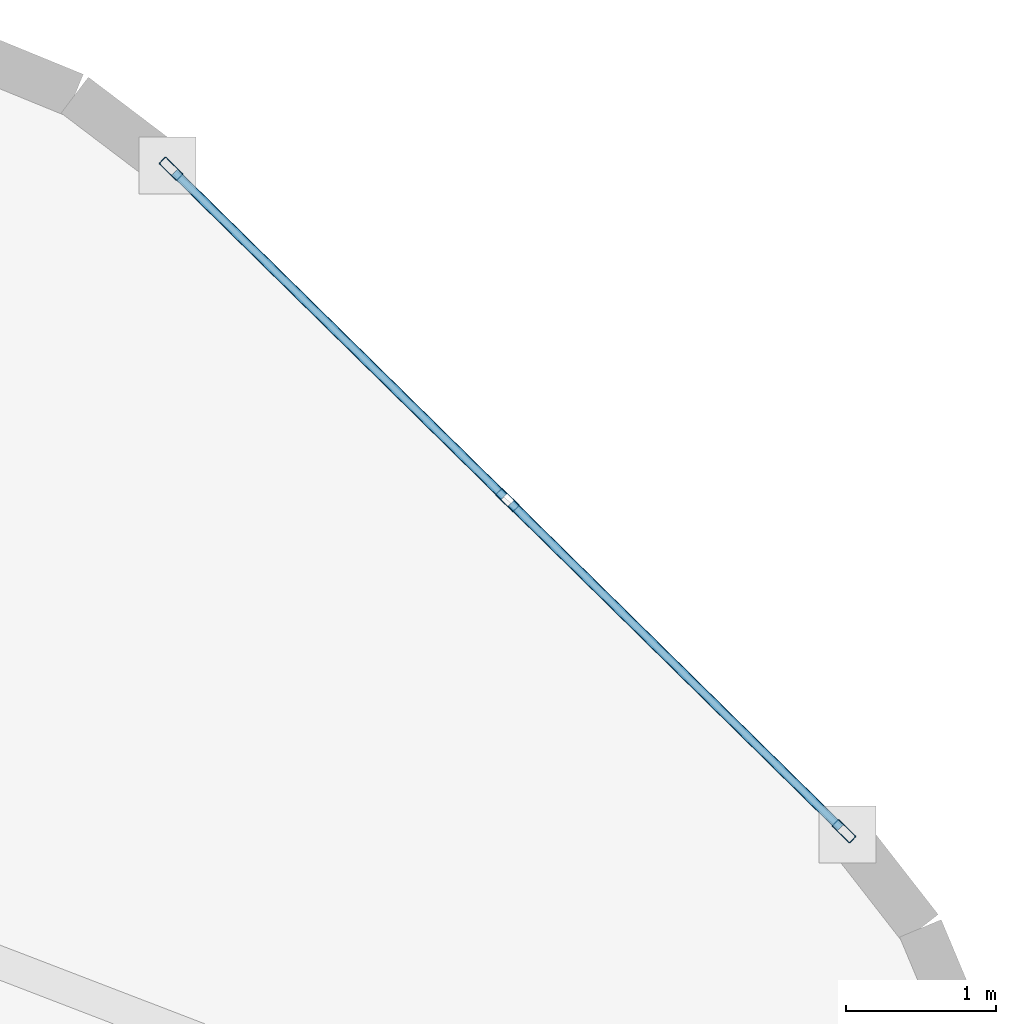
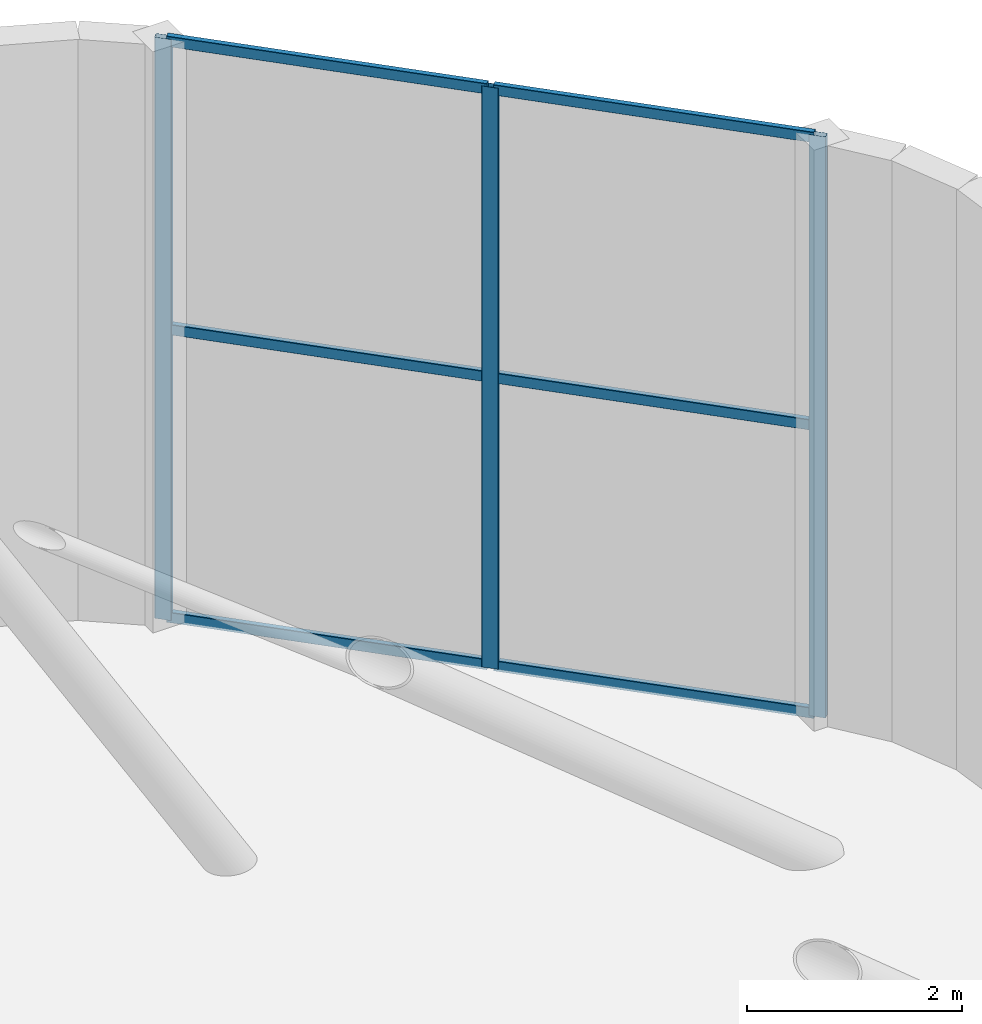
# One storey, part 16 of 19: 9 members, 1 element without a shape of its own.
"""IFC4 building model written with IfcOpenShell, lengths in metres."""

import ifcopenshell
import ifcopenshell.guid

model = None  # the IFC model being written
_history = None  # IfcOwnerHistory: only IFC2X3 demands one
_inside = {}  # id of a spatial element -> (the spatial element, [elements in it])
_under = {}  # id of a project, library or spatial element -> (it, [spatial elements below it])
_declared = {}  # id of a project -> (the project, [libraries it declares])
_typed = {}  # id of a type object -> (the type object, [elements of that type])
_made_of = {}  # id of a material, layer set ... -> (it, [elements and type objects made of it])


def new_model(schema):
    """Start an empty IFC model of exactly this schema.

    Asked for "IFC4X3", IfcOpenShell would pick the latest addendum, in which some entities
    have other attributes; the version numbers below select the first issue.
    IFC2X3 requires an IfcOwnerHistory on every rooted entity: one is made here for all.
    """
    global model, _history
    if schema == "IFC4X3":
        model = ifcopenshell.file(schema_version=(4, 3, 0, 0))
    else:
        model = ifcopenshell.file(schema=schema)
    _inside.clear()
    _under.clear()
    _declared.clear()
    _typed.clear()
    _made_of.clear()
    _history = None
    if model.schema == "IFC2X3":
        org = make("IfcOrganization", Name="unknown")
        user = make(
            "IfcPersonAndOrganization",
            ThePerson=make("IfcPerson", FamilyName="unknown"),
            TheOrganization=org,
        )
        app = make(
            "IfcApplication",
            ApplicationDeveloper=org,
            Version="unknown",
            ApplicationFullName="unknown",
            ApplicationIdentifier="unknown",
        )
        _history = make(
            "IfcOwnerHistory",
            OwningUser=user,
            OwningApplication=app,
            ChangeAction="ADDED",
            CreationDate=0,
        )
    return model


def make(cls, **values):
    """One entity of the class cls with the attributes given. An attribute that is None is left unset."""
    return model.create_entity(
        cls, **{name: value for name, value in values.items() if value is not None}
    )


def rooted(cls, **values):
    """An entity with a GlobalId (a new one), such as an element, a storey or a relation."""
    return make(cls, GlobalId=ifcopenshell.guid.new(), OwnerHistory=_history, **values)


def si_unit(unit_type, name, prefix=None):
    """IfcSIUnit, for example si_unit("LENGTHUNIT", "METRE", prefix="MILLI")."""
    return make("IfcSIUnit", UnitType=unit_type, Prefix=prefix, Name=name)


def assignment(units):
    """IfcUnitAssignment: the units of a project."""
    return None if units is None else make("IfcUnitAssignment", Units=units)


def point(xyz):
    """IfcCartesianPoint."""
    return None if xyz is None else make("IfcCartesianPoint", Coordinates=xyz)


def direction(xyz):
    """IfcDirection."""
    return None if xyz is None else make("IfcDirection", DirectionRatios=xyz)


def frame(location, z_axis=None, x_axis=None):
    """IfcAxis2Placement3D, a coordinate frame: its origin and axes. An axis left out is left unset."""
    return make(
        "IfcAxis2Placement3D",
        Location=point(location),
        Axis=direction(z_axis),
        RefDirection=direction(x_axis),
    )


def frame_2d(location, x_axis=None):
    """IfcAxis2Placement2D, a coordinate frame in the plane: its origin and x axis."""
    return make(
        "IfcAxis2Placement2D", Location=point(location), RefDirection=direction(x_axis)
    )


def origin():
    """The frame at (0, 0, 0) with its axes left unset."""
    return frame((0.0, 0.0, 0.0))


def origin_2d():
    """The frame at (0, 0) in the plane with its x axis left unset."""
    return frame_2d((0.0, 0.0))


def place(relative_to, where):
    """IfcLocalPlacement: puts the frame where relative to a parent placement (None: the world)."""
    return make(
        "IfcLocalPlacement", PlacementRelTo=relative_to, RelativePlacement=where
    )


def context(
    kind, dimensions, precision=None, world=None, true_north=None, identifier=None
):
    """IfcGeometricRepresentationContext, for example the 3D "Model" context."""
    return make(
        "IfcGeometricRepresentationContext",
        ContextIdentifier=identifier,
        ContextType=kind,
        CoordinateSpaceDimension=dimensions,
        Precision=precision,
        WorldCoordinateSystem=world,
        TrueNorth=true_north,
    )


def subcontext(parent, identifier, kind, view, scale=None):
    """IfcGeometricRepresentationSubContext, for example "Body" below "Model"."""
    return make(
        "IfcGeometricRepresentationSubContext",
        ContextIdentifier=identifier,
        ContextType=kind,
        ParentContext=parent,
        TargetScale=scale,
        TargetView=view,
    )


def project(units=None, contexts=None):
    """IfcProject with its units and contexts."""
    return rooted(
        "IfcProject",
        Name="project",
        RepresentationContexts=contexts,
        UnitsInContext=assignment(units),
    )


def spatial(cls, under=None, at=None, **own):
    """A site, building, storey or space (cls), placed at a placement, below another one or the project."""
    s = rooted(cls, ObjectPlacement=at, **own)
    if under is not None:
        _under.setdefault(under.id(), (under, []))[1].append(s)
    return s


def profile(cls, at=None, kind="AREA", **sizes):
    """A parametric profile (cls). Its sizes go by their IFC names, for example OverallWidth=200.0."""
    return make(cls, ProfileType=kind, Position=at, **sizes)


def hollow_rectangle(**sizes):
    """IfcRectangleHollowProfileDef."""
    return profile("IfcRectangleHollowProfileDef", **sizes)


def extrude(swept, where, along, depth):
    """IfcExtrudedAreaSolid: the profile swept, set in the frame where, extruded along a direction by depth."""
    return make(
        "IfcExtrudedAreaSolid",
        SweptArea=swept,
        Position=where,
        ExtrudedDirection=direction(along),
        Depth=depth,
    )


def shape(context_of_items, identifier, shape_type, items):
    """IfcShapeRepresentation: the items that make up one representation, for example the "Body"."""
    return make(
        "IfcShapeRepresentation",
        ContextOfItems=context_of_items,
        RepresentationIdentifier=identifier,
        RepresentationType=shape_type,
        Items=items,
    )


def material(Name=None, Category=None):
    """IfcMaterial."""
    return make("IfcMaterial", Name=Name, Category=Category)


def layer(
    of_material, thickness, ventilated=None, Name=None, Category=None, Priority=None
):
    """IfcMaterialLayer: one layer of a wall or slab, of a material (None: an air gap)."""
    return make(
        "IfcMaterialLayer",
        Material=of_material,
        LayerThickness=thickness,
        IsVentilated=ventilated,
        Name=Name,
        Category=Category,
        Priority=Priority,
    )


def layer_set(layers, Name=None):
    """IfcMaterialLayerSet."""
    return make("IfcMaterialLayerSet", MaterialLayers=layers, LayerSetName=Name)


def material_profile(
    of_material, cross_section, Name=None, Category=None, Priority=None
):
    """IfcMaterialProfile: a cross section and its material."""
    return make(
        "IfcMaterialProfile",
        Name=Name,
        Material=of_material,
        Profile=cross_section,
        Priority=Priority,
        Category=Category,
    )


def profile_set(profiles, Name=None, composite=None):
    """IfcMaterialProfileSet."""
    return make(
        "IfcMaterialProfileSet",
        Name=Name,
        MaterialProfiles=profiles,
        CompositeProfile=composite,
    )


def made_of(thing, what):
    """Note that an element or type object is made of a material, layer set ...; save() writes the relation."""
    if what is not None:
        _made_of.setdefault(what.id(), (what, []))[1].append(thing)
    return thing


def type_object(cls, material=None, **own):
    """A type object (cls), such as IfcWallType, which elements share."""
    return made_of(rooted(cls, **own), material)


def element(
    cls,
    number,
    at=None,
    inside=None,
    cuts=None,
    type_object=None,
    material=None,
    context=None,
    identifier="Body",
    shape_type=None,
    held_by="IfcProductDefinitionShape",
    body=None,
    shapes=None,
    **own,
):
    """One element of the class cls, such as IfcWall. Its Tag is "e" and its number.

    at: its placement. inside: the storey or other place that contains it. cuts: it is an
    opening in that element (IfcRelVoidsElement). A single representation is given by context,
    identifier, shape_type and body (its items); several are given by shapes. held_by: the class
    of the entity that holds the representations. save() writes the other relations.
    """
    e = rooted(cls, Tag="e%d" % number, ObjectPlacement=at, **own)
    if body is not None:
        shapes = [shape(context, identifier, shape_type, body)]
    if shapes is not None:
        e.Representation = make(held_by, Representations=shapes)
    if inside is not None:
        _inside.setdefault(inside.id(), (inside, []))[1].append(e)
    if cuts is not None:
        rooted(
            "IfcRelVoidsElement", RelatingBuildingElement=cuts, RelatedOpeningElement=e
        )
    if type_object is not None:
        _typed.setdefault(type_object.id(), (type_object, []))[1].append(e)
    return made_of(e, material)


def aggregate(whole, parts):
    """IfcRelAggregates: a whole, such as a stair, and the parts it consists of."""
    return rooted("IfcRelAggregates", RelatingObject=whole, RelatedObjects=parts)


def save(model, path):
    """Write the relations noted so far, then the file.

    IfcRelAggregates (storeys below a building ...), IfcRelContainedInSpatialStructure (elements
    in a storey), IfcRelDefinesByType, IfcRelAssociatesMaterial and IfcRelDeclares: one each for
    every whole, place, type object, material and project.
    """
    for whole, parts in _under.values():
        aggregate(whole, parts)
    for where, things in _inside.values():
        rooted(
            "IfcRelContainedInSpatialStructure",
            RelatedElements=things,
            RelatingStructure=where,
        )
    for kind, things in _typed.values():
        rooted("IfcRelDefinesByType", RelatedObjects=things, RelatingType=kind)
    for what, things in _made_of.values():
        rooted("IfcRelAssociatesMaterial", RelatedObjects=things, RelatingMaterial=what)
    for by, libraries in _declared.values():
        rooted("IfcRelDeclares", RelatingContext=by, RelatedDefinitions=libraries)
    model.write(path)


model = new_model("IFC4")

# Units and contexts
model_context = context("Model", 3, precision=1e-05, world=origin(), true_north=direction((0.0, 1.0)))
body_context = subcontext(model_context, "Body", "Model", "MODEL_VIEW")
ifc_project = project(units=[si_unit("LENGTHUNIT", "METRE"), si_unit("AREAUNIT", "SQUARE_METRE"), si_unit("VOLUMEUNIT", "CUBIC_METRE"), si_unit("PLANEANGLEUNIT", "RADIAN"), si_unit("MASSUNIT", "GRAM", prefix="KILO")], contexts=[model_context])

# Site, building, storey
site_placement = place(None, origin())
site = spatial("IfcSite", under=ifc_project, at=site_placement, CompositionType="ELEMENT")
building_placement = place(site_placement, origin())
building = spatial("IfcBuilding", under=site, at=building_placement, Name="An Khanh Terracotta Commons", CompositionType="ELEMENT")
storey_placement = place(building_placement, frame((0.0, 0.0, 328.800048828125)))
storey = spatial("IfcBuildingStorey", under=building, at=storey_placement, Name="L82 Crown Faceted Taper", CompositionType="ELEMENT", Elevation=328.800048828125)

# Curtain wall, members
ifc_material = material(Name="Anodised Aluminium 6063-T6", Category="aluminium")
ifc_layer = layer(ifc_material, 0.18994140625, Name="Anodised Aluminium 6063-T6")
ifc_layer_set = layer_set([ifc_layer], Name="Anodised Aluminium 6063-T6")
curtain_wall_type = type_object("IfcCurtainWallType", Name="CW-SYS-06", PredefinedType="USERDEFINED", material=ifc_layer_set)
curtain_wall_placement = place(storey_placement, origin())
curtain_wall = element("IfcCurtainWall", 1, at=curtain_wall_placement, inside=storey, type_object=curtain_wall_type, Name="L82 Crown Faceted Taper CW-06 Unitised Curtain Wall CW-L82-16", ObjectType="UNITISED CURTAIN WALL", PredefinedType="USERDEFINED")
ifc_material_profile_1 = material_profile(ifc_material, hollow_rectangle(XDim=0.06494140625, YDim=0.1650390625, WallThickness=0.00390625, InnerFilletRadius=0.00390625, OuterFilletRadius=0.008056640625, at=origin_2d()), Name="RHS165x65x4")
ifc_profile_set_1 = profile_set([ifc_material_profile_1], Name="Anodised Aluminium 6063-T6")
member_type_1 = type_object("IfcMemberType", Name="CWM-RHS165x65x4", PredefinedType="MULLION", material=ifc_profile_set_1)
member_1_placement = place(storey_placement, frame((50.880859375, 29.50390625, 0.0), z_axis=(0.0, 0.0, 1.0), x_axis=(-0.701497280399, -0.712672130501, 0.0)))
member_1 = element("IfcMember", 2, at=member_1_placement, type_object=member_type_1, Name="CW-06 mullion 1", PredefinedType="MULLION", context=body_context, shape_type="SweptSolid", body=[
    extrude(hollow_rectangle(XDim=0.06494140625, YDim=0.1650390625, WallThickness=0.00390625, InnerFilletRadius=0.00390625, OuterFilletRadius=0.008056640625, at=origin_2d()), origin(), (0.0, 0.0, 1.0), 6.599853515625),
])
member_2_placement = place(storey_placement, frame((48.639892578125, 31.70947265625, 0.0), z_axis=(0.0, 0.0, 1.0), x_axis=(-0.701497280399, -0.712672130501, 0.0)))
member_2 = element("IfcMember", 3, at=member_2_placement, type_object=member_type_1, Name="CW-06 mullion 2", PredefinedType="MULLION", context=body_context, shape_type="SweptSolid", body=[
    extrude(hollow_rectangle(XDim=0.06494140625, YDim=0.1650390625, WallThickness=0.00390625, InnerFilletRadius=0.00390625, OuterFilletRadius=0.008056640625, at=origin_2d()), origin(), (0.0, 0.0, 1.0), 6.599853515625),
])
member_3_placement = place(storey_placement, frame((46.399169921875, 33.915283203125, 0.0), z_axis=(0.0, 0.0, 1.0), x_axis=(-0.701497280399, -0.712672130501, 0.0)))
member_3 = element("IfcMember", 4, at=member_3_placement, type_object=member_type_1, Name="CW-06 mullion 3", PredefinedType="MULLION", context=body_context, shape_type="SweptSolid", body=[
    extrude(hollow_rectangle(XDim=0.06494140625, YDim=0.1650390625, WallThickness=0.00390625, InnerFilletRadius=0.00390625, OuterFilletRadius=0.008056640625, at=origin_2d()), origin(), (0.0, 0.0, 1.0), 6.599853515625),
])
ifc_material_profile_2 = material_profile(ifc_material, hollow_rectangle(XDim=0.06005859375, YDim=0.1201171875, WallThickness=0.003662109375, InnerFilletRadius=0.003662109375, OuterFilletRadius=0.007080078125, at=origin_2d()), Name="RHS120x60x3.6")
ifc_profile_set_2 = profile_set([ifc_material_profile_2], Name="Anodised Aluminium 6063-T6")
member_type_2 = type_object("IfcMemberType", Name="CWT-RHS120x60x3.6", PredefinedType="USERDEFINED", material=ifc_profile_set_2)
member_4_placement = place(storey_placement, frame((50.857666015625, 29.526611328125, 0.030029296875), z_axis=(-0.712674135083, 0.701495243878, 0.0), x_axis=(-0.701495243878, -0.712674135083, 0.0)))
member_4 = element("IfcMember", 5, at=member_4_placement, type_object=member_type_2, Name="CW-06 transom 1.1", ObjectType="TRANSOM", PredefinedType="USERDEFINED", context=body_context, shape_type="SweptSolid", body=[
    extrude(hollow_rectangle(XDim=0.06005859375, YDim=0.1201171875, WallThickness=0.003662109375, InnerFilletRadius=0.003662109375, OuterFilletRadius=0.007080078125, at=origin_2d()), origin(), (0.0, 0.0, 1.0), 3.079345703125),
])
member_5_placement = place(storey_placement, frame((50.857666015625, 29.526611328125, 3.300048828125), z_axis=(-0.712674135083, 0.701495243878, 0.0), x_axis=(-0.701495243878, -0.712674135083, 0.0)))
member_5 = element("IfcMember", 6, at=member_5_placement, type_object=member_type_2, Name="CW-06 transom 1.2", ObjectType="TRANSOM", PredefinedType="USERDEFINED", context=body_context, shape_type="SweptSolid", body=[
    extrude(hollow_rectangle(XDim=0.06005859375, YDim=0.1201171875, WallThickness=0.003662109375, InnerFilletRadius=0.003662109375, OuterFilletRadius=0.007080078125, at=origin_2d()), origin(), (0.0, 0.0, 1.0), 3.079345703125),
])
member_6_placement = place(storey_placement, frame((50.857666015625, 29.526611328125, 6.570068359375), z_axis=(-0.712674135083, 0.701495243878, 0.0), x_axis=(-0.701495243878, -0.712674135083, 0.0)))
member_6 = element("IfcMember", 7, at=member_6_placement, type_object=member_type_2, Name="CW-06 transom 1.3", ObjectType="TRANSOM", PredefinedType="USERDEFINED", context=body_context, shape_type="SweptSolid", body=[
    extrude(hollow_rectangle(XDim=0.06005859375, YDim=0.1201171875, WallThickness=0.003662109375, InnerFilletRadius=0.003662109375, OuterFilletRadius=0.007080078125, at=origin_2d()), origin(), (0.0, 0.0, 1.0), 3.079345703125),
])
member_7_placement = place(storey_placement, frame((48.616943359375, 31.732177734375, 0.030029296875), z_axis=(-0.712674135083, 0.701495243878, 0.0), x_axis=(-0.701495243878, -0.712674135083, 0.0)))
member_7 = element("IfcMember", 8, at=member_7_placement, type_object=member_type_2, Name="CW-06 transom 2.1", ObjectType="TRANSOM", PredefinedType="USERDEFINED", context=body_context, shape_type="SweptSolid", body=[
    extrude(hollow_rectangle(XDim=0.06005859375, YDim=0.1201171875, WallThickness=0.003662109375, InnerFilletRadius=0.003662109375, OuterFilletRadius=0.007080078125, at=origin_2d()), origin(), (0.0, 0.0, 1.0), 3.079345703125),
])
member_8_placement = place(storey_placement, frame((48.616943359375, 31.732177734375, 3.300048828125), z_axis=(-0.712674135083, 0.701495243878, 0.0), x_axis=(-0.701495243878, -0.712674135083, 0.0)))
member_8 = element("IfcMember", 9, at=member_8_placement, type_object=member_type_2, Name="CW-06 transom 2.2", ObjectType="TRANSOM", PredefinedType="USERDEFINED", context=body_context, shape_type="SweptSolid", body=[
    extrude(hollow_rectangle(XDim=0.06005859375, YDim=0.1201171875, WallThickness=0.003662109375, InnerFilletRadius=0.003662109375, OuterFilletRadius=0.007080078125, at=origin_2d()), origin(), (0.0, 0.0, 1.0), 3.079345703125),
])
member_9_placement = place(storey_placement, frame((48.616943359375, 31.732177734375, 6.570068359375), z_axis=(-0.712674135083, 0.701495243878, 0.0), x_axis=(-0.701495243878, -0.712674135083, 0.0)))
member_9 = element("IfcMember", 10, at=member_9_placement, type_object=member_type_2, Name="CW-06 transom 2.3", ObjectType="TRANSOM", PredefinedType="USERDEFINED", context=body_context, shape_type="SweptSolid", body=[
    extrude(hollow_rectangle(XDim=0.06005859375, YDim=0.1201171875, WallThickness=0.003662109375, InnerFilletRadius=0.003662109375, OuterFilletRadius=0.007080078125, at=origin_2d()), origin(), (0.0, 0.0, 1.0), 3.079345703125),
])
aggregate(curtain_wall, [member_1, member_2, member_3, member_4, member_5, member_6, member_7, member_8, member_9])

save(model, "model.ifc")
